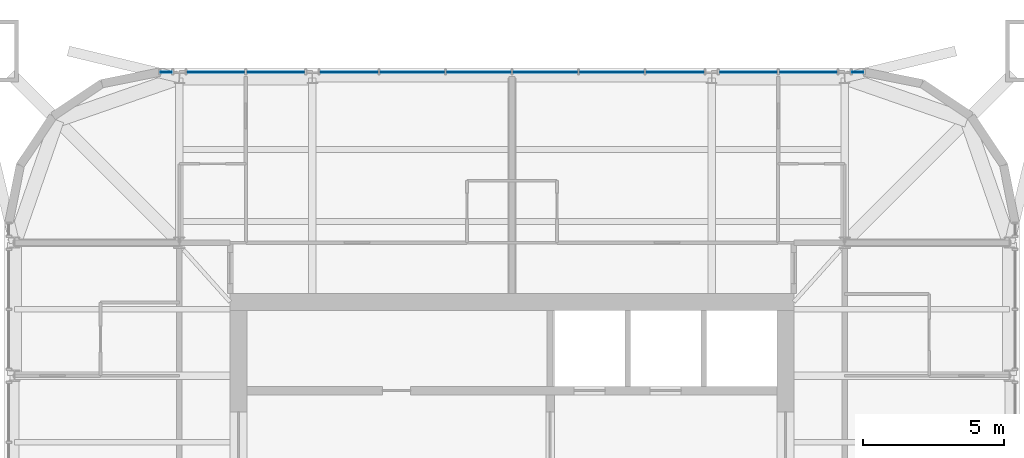
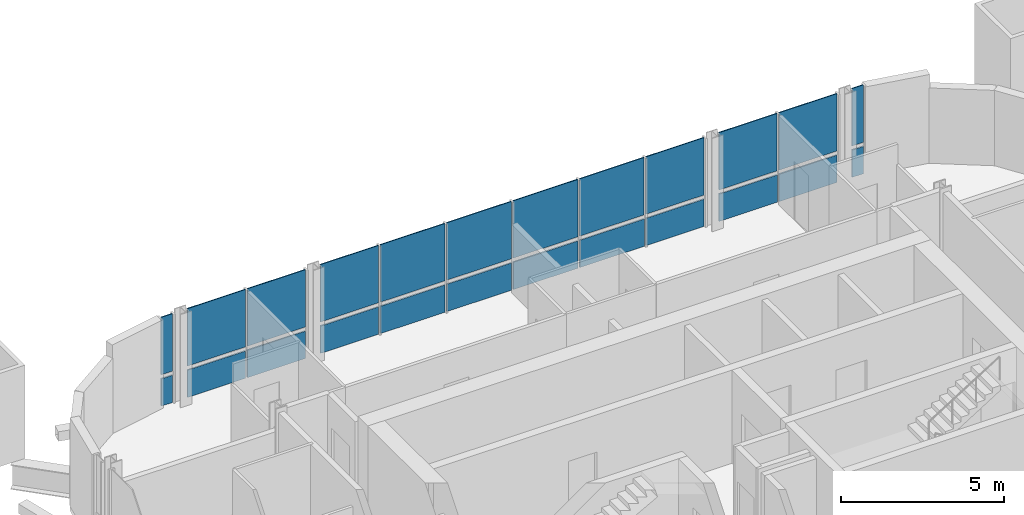
# One storey, part 11 of 16: 24 plates, 5 elements without a shape of their own.
"""IFC4 building model written with IfcOpenShell, lengths in metres."""

from ifc_helpers import new_model, si_unit, direction, frame, origin, origin_2d, place, context, subcontext, project, spatial, rectangle, extrude, material, layer, layer_set, type_object, element, aggregate, save


model = new_model("IFC4")

# Units and contexts
model_context = context("Model", 3, precision=1e-05, world=origin(), true_north=direction((0.0, 1.0)))
body_context = subcontext(model_context, "Body", "Model", "MODEL_VIEW")
ifc_project = project(units=[si_unit("LENGTHUNIT", "METRE"), si_unit("AREAUNIT", "SQUARE_METRE"), si_unit("VOLUMEUNIT", "CUBIC_METRE"), si_unit("PLANEANGLEUNIT", "RADIAN"), si_unit("MASSUNIT", "GRAM", prefix="KILO")], contexts=[model_context])

# Site, building, storey
site_placement = place(None, origin())
site = spatial("IfcSite", under=ifc_project, at=site_placement, CompositionType="ELEMENT")
building_placement = place(site_placement, origin())
building = spatial("IfcBuilding", under=site, at=building_placement, Name="Turquesa Mirador Hotel Tower", CompositionType="ELEMENT")
storey_placement = place(building_placement, frame((0.0, 0.0, 230.199951171875)))
storey = spatial("IfcBuildingStorey", under=building, at=storey_placement, Name="L62", CompositionType="ELEMENT", Elevation=230.199951171875)

# Curtain wall, plate
ifc_material_1 = material(Name="Aluminium extrusion", Category="aluminium")
curtain_wall_type = type_object("IfcCurtainWallType", Name="CW-4 SUITE FRITTED CURTAIN WALL", PredefinedType="USERDEFINED", material=ifc_material_1)
curtain_wall_1_placement = place(storey_placement, origin())
curtain_wall_1 = element("IfcCurtainWall", 1, at=curtain_wall_1_placement, inside=storey, type_object=curtain_wall_type, Name="CW-4 SUITE FRITTED CURTAIN WALL L62", ObjectType="CURTAIN WALL", PredefinedType="USERDEFINED")
ifc_material_2 = material(Name="Ceramic-printed spandrel glass on an insulated back pan", Category="glass")
ifc_layer_1 = layer(ifc_material_2, 0.050048828125)
ifc_layer_set_1 = layer_set([ifc_layer_1], Name="CW PANEL SPANDREL CERAMIC")
plate_type_1 = type_object("IfcPlateType", Name="CW PANEL SPANDREL CERAMIC", PredefinedType="CURTAIN_PANEL", material=ifc_layer_set_1)
plate_1_placement = place(storey_placement, frame((67.266845703125, 62.85009765625, 0.0), z_axis=(0.0, 0.0, 1.0), x_axis=(-1.0, 0.0, 0.0)))
plate_1 = element("IfcPlate", 2, at=plate_1_placement, type_object=plate_type_1, Name="Panel", PredefinedType="CURTAIN_PANEL", context=body_context, shape_type="SweptSolid", body=[
    extrude(rectangle(XDim=0.401123046875, YDim=0.050048828125, at=origin_2d()), origin(), (0.0, 0.0, 1.0), 1.02490234375),
])

# Curtain wall, plates
curtain_wall_2_placement = place(storey_placement, origin())
curtain_wall_2 = element("IfcCurtainWall", 3, at=curtain_wall_2_placement, inside=storey, type_object=curtain_wall_type, Name="CW-4 SUITE FRITTED CURTAIN WALL L62", ObjectType="CURTAIN WALL", PredefinedType="USERDEFINED")
plate_2_placement = place(storey_placement, frame((65.503173828125, 62.85009765625, 0.0), z_axis=(0.0, 0.0, 1.0), x_axis=(-1.0, 0.0, 0.0)))
plate_2 = element("IfcPlate", 4, at=plate_2_placement, type_object=plate_type_1, Name="Panel", PredefinedType="CURTAIN_PANEL", context=body_context, shape_type="SweptSolid", body=[
    extrude(rectangle(XDim=2.06103515625, YDim=0.050048828125, at=origin_2d()), origin(), (0.0, 0.0, 1.0), 1.02490234375),
])
plate_3_placement = place(storey_placement, frame((63.376953125, 62.85009765625, 0.0), z_axis=(0.0, 0.0, 1.0), x_axis=(-1.0, 0.0, 0.0)))
plate_3 = element("IfcPlate", 5, at=plate_3_placement, type_object=plate_type_1, Name="Panel", PredefinedType="CURTAIN_PANEL", context=body_context, shape_type="SweptSolid", body=[
    extrude(rectangle(XDim=2.06103515625, YDim=0.050048828125, at=origin_2d()), origin(), (0.0, 0.0, 1.0), 1.02490234375),
])

curtain_wall_3_placement = place(storey_placement, origin())
curtain_wall_3 = element("IfcCurtainWall", 6, at=curtain_wall_3_placement, inside=storey, type_object=curtain_wall_type, Name="CW-4 SUITE FRITTED CURTAIN WALL L62", ObjectType="CURTAIN WALL", PredefinedType="USERDEFINED")
plate_4_placement = place(storey_placement, frame((60.782958984375, 62.85009765625, 0.0), z_axis=(0.0, 0.0, 1.0), x_axis=(-1.0, 0.0, 0.0)))
plate_4 = element("IfcPlate", 7, at=plate_4_placement, type_object=plate_type_1, Name="Panel", PredefinedType="CURTAIN_PANEL", context=body_context, shape_type="SweptSolid", body=[
    extrude(rectangle(XDim=2.06103515625, YDim=0.050048828125, at=origin_2d()), origin(), (0.0, 0.0, 1.0), 1.02490234375),
])
plate_5_placement = place(storey_placement, frame((58.5400390625, 62.85009765625, 0.0), z_axis=(0.0, 0.0, 1.0), x_axis=(-1.0, 0.0, 0.0)))
plate_5 = element("IfcPlate", 8, at=plate_5_placement, type_object=plate_type_1, Name="Panel", PredefinedType="CURTAIN_PANEL", context=body_context, shape_type="SweptSolid", body=[
    extrude(rectangle(XDim=2.294921875, YDim=0.050048828125, at=origin_2d()), origin(), (0.0, 0.0, 1.0), 1.02490234375),
])
plate_6_placement = place(storey_placement, frame((56.179931640625, 62.85009765625, 0.0), z_axis=(0.0, 0.0, 1.0), x_axis=(-1.0, 0.0, 0.0)))
plate_6 = element("IfcPlate", 9, at=plate_6_placement, type_object=plate_type_1, Name="Panel", PredefinedType="CURTAIN_PANEL", context=body_context, shape_type="SweptSolid", body=[
    extrude(rectangle(XDim=2.294921875, YDim=0.050048828125, at=origin_2d()), origin(), (0.0, 0.0, 1.0), 1.02490234375),
])
plate_7_placement = place(storey_placement, frame((53.820068359375, 62.85009765625, 0.0), z_axis=(0.0, 0.0, 1.0), x_axis=(-1.0, 0.0, 0.0)))
plate_7 = element("IfcPlate", 10, at=plate_7_placement, type_object=plate_type_1, Name="Panel", PredefinedType="CURTAIN_PANEL", context=body_context, shape_type="SweptSolid", body=[
    extrude(rectangle(XDim=2.294921875, YDim=0.050048828125, at=origin_2d()), origin(), (0.0, 0.0, 1.0), 1.02490234375),
])
plate_8_placement = place(storey_placement, frame((51.4599609375, 62.85009765625, 0.0), z_axis=(0.0, 0.0, 1.0), x_axis=(-1.0, 0.0, 0.0)))
plate_8 = element("IfcPlate", 11, at=plate_8_placement, type_object=plate_type_1, Name="Panel", PredefinedType="CURTAIN_PANEL", context=body_context, shape_type="SweptSolid", body=[
    extrude(rectangle(XDim=2.294921875, YDim=0.050048828125, at=origin_2d()), origin(), (0.0, 0.0, 1.0), 1.02490234375),
])
plate_9_placement = place(storey_placement, frame((49.217041015625, 62.85009765625, 0.0), z_axis=(0.0, 0.0, 1.0), x_axis=(-1.0, 0.0, 0.0)))
plate_9 = element("IfcPlate", 12, at=plate_9_placement, type_object=plate_type_1, Name="Panel", PredefinedType="CURTAIN_PANEL", context=body_context, shape_type="SweptSolid", body=[
    extrude(rectangle(XDim=2.06103515625, YDim=0.050048828125, at=origin_2d()), origin(), (0.0, 0.0, 1.0), 1.02490234375),
])

curtain_wall_4_placement = place(storey_placement, origin())
curtain_wall_4 = element("IfcCurtainWall", 13, at=curtain_wall_4_placement, inside=storey, type_object=curtain_wall_type, Name="CW-4 SUITE FRITTED CURTAIN WALL L62", ObjectType="CURTAIN WALL", PredefinedType="USERDEFINED")
plate_10_placement = place(storey_placement, frame((46.623046875, 62.85009765625, 0.0), z_axis=(0.0, 0.0, 1.0), x_axis=(-1.0, 0.0, 0.0)))
plate_10 = element("IfcPlate", 14, at=plate_10_placement, type_object=plate_type_1, Name="Panel", PredefinedType="CURTAIN_PANEL", context=body_context, shape_type="SweptSolid", body=[
    extrude(rectangle(XDim=2.06103515625, YDim=0.050048828125, at=origin_2d()), origin(), (0.0, 0.0, 1.0), 1.02490234375),
])
plate_11_placement = place(storey_placement, frame((44.496826171875, 62.85009765625, 0.0), z_axis=(0.0, 0.0, 1.0), x_axis=(-1.0, 0.0, 0.0)))
plate_11 = element("IfcPlate", 15, at=plate_11_placement, type_object=plate_type_1, Name="Panel", PredefinedType="CURTAIN_PANEL", context=body_context, shape_type="SweptSolid", body=[
    extrude(rectangle(XDim=2.06103515625, YDim=0.050048828125, at=origin_2d()), origin(), (0.0, 0.0, 1.0), 1.02490234375),
])

# Curtain wall, plate
curtain_wall_5_placement = place(storey_placement, origin())
curtain_wall_5 = element("IfcCurtainWall", 16, at=curtain_wall_5_placement, inside=storey, type_object=curtain_wall_type, Name="CW-4 SUITE FRITTED CURTAIN WALL L62", ObjectType="CURTAIN WALL", PredefinedType="USERDEFINED")
plate_12_placement = place(storey_placement, frame((42.733154296875, 62.85009765625, 0.0), z_axis=(0.0, 0.0, 1.0), x_axis=(-1.0, 0.0, 0.0)))
plate_12 = element("IfcPlate", 17, at=plate_12_placement, type_object=plate_type_1, Name="Panel", PredefinedType="CURTAIN_PANEL", context=body_context, shape_type="SweptSolid", body=[
    extrude(rectangle(XDim=0.401123046875, YDim=0.050048828125, at=origin_2d()), origin(), (0.0, 0.0, 1.0), 1.02490234375),
])

# Plate
ifc_material_3 = material(Name="Ceramic-fritted laminated glass", Category="glass")
ifc_layer_2 = layer(ifc_material_3, 0.031982421875)
ifc_layer_set_2 = layer_set([ifc_layer_2], Name="CW PANEL VISION FRITTED")
plate_type_2 = type_object("IfcPlateType", Name="CW PANEL VISION FRITTED", PredefinedType="CURTAIN_PANEL", material=ifc_layer_set_2)
plate_13_placement = place(storey_placement, frame((67.266845703125, 62.85009765625, 1.1748046875), z_axis=(0.0, 0.0, 1.0), x_axis=(-1.0, 0.0, 0.0)))
plate_13 = element("IfcPlate", 18, at=plate_13_placement, type_object=plate_type_2, Name="Panel", PredefinedType="CURTAIN_PANEL", context=body_context, shape_type="SweptSolid", body=[
    extrude(rectangle(XDim=0.401123046875, YDim=0.031982421875, at=origin_2d()), origin(), (0.0, 0.0, 1.0), 2.155029296875),
])

aggregate(curtain_wall_1, [plate_1, plate_13])

plate_14_placement = place(storey_placement, frame((65.503173828125, 62.85009765625, 1.1748046875), z_axis=(0.0, 0.0, 1.0), x_axis=(-1.0, 0.0, 0.0)))
plate_14 = element("IfcPlate", 19, at=plate_14_placement, type_object=plate_type_2, Name="Panel", PredefinedType="CURTAIN_PANEL", context=body_context, shape_type="SweptSolid", body=[
    extrude(rectangle(XDim=2.06103515625, YDim=0.031982421875, at=origin_2d()), origin(), (0.0, 0.0, 1.0), 2.155029296875),
])

plate_15_placement = place(storey_placement, frame((63.376953125, 62.85009765625, 1.1748046875), z_axis=(0.0, 0.0, 1.0), x_axis=(-1.0, 0.0, 0.0)))
plate_15 = element("IfcPlate", 20, at=plate_15_placement, type_object=plate_type_2, Name="Panel", PredefinedType="CURTAIN_PANEL", context=body_context, shape_type="SweptSolid", body=[
    extrude(rectangle(XDim=2.06103515625, YDim=0.031982421875, at=origin_2d()), origin(), (0.0, 0.0, 1.0), 2.155029296875),
])

aggregate(curtain_wall_2, [plate_2, plate_14, plate_3, plate_15])

plate_16_placement = place(storey_placement, frame((60.782958984375, 62.85009765625, 1.1748046875), z_axis=(0.0, 0.0, 1.0), x_axis=(-1.0, 0.0, 0.0)))
plate_16 = element("IfcPlate", 21, at=plate_16_placement, type_object=plate_type_2, Name="Panel", PredefinedType="CURTAIN_PANEL", context=body_context, shape_type="SweptSolid", body=[
    extrude(rectangle(XDim=2.06103515625, YDim=0.031982421875, at=origin_2d()), origin(), (0.0, 0.0, 1.0), 2.155029296875),
])

plate_17_placement = place(storey_placement, frame((58.5400390625, 62.85009765625, 1.1748046875), z_axis=(0.0, 0.0, 1.0), x_axis=(-1.0, 0.0, 0.0)))
plate_17 = element("IfcPlate", 22, at=plate_17_placement, type_object=plate_type_2, Name="Panel", PredefinedType="CURTAIN_PANEL", context=body_context, shape_type="SweptSolid", body=[
    extrude(rectangle(XDim=2.294921875, YDim=0.031982421875, at=origin_2d()), origin(), (0.0, 0.0, 1.0), 2.155029296875),
])

plate_18_placement = place(storey_placement, frame((56.179931640625, 62.85009765625, 1.1748046875), z_axis=(0.0, 0.0, 1.0), x_axis=(-1.0, 0.0, 0.0)))
plate_18 = element("IfcPlate", 23, at=plate_18_placement, type_object=plate_type_2, Name="Panel", PredefinedType="CURTAIN_PANEL", context=body_context, shape_type="SweptSolid", body=[
    extrude(rectangle(XDim=2.294921875, YDim=0.031982421875, at=origin_2d()), origin(), (0.0, 0.0, 1.0), 2.155029296875),
])

plate_19_placement = place(storey_placement, frame((53.820068359375, 62.85009765625, 1.1748046875), z_axis=(0.0, 0.0, 1.0), x_axis=(-1.0, 0.0, 0.0)))
plate_19 = element("IfcPlate", 24, at=plate_19_placement, type_object=plate_type_2, Name="Panel", PredefinedType="CURTAIN_PANEL", context=body_context, shape_type="SweptSolid", body=[
    extrude(rectangle(XDim=2.294921875, YDim=0.031982421875, at=origin_2d()), origin(), (0.0, 0.0, 1.0), 2.155029296875),
])

plate_20_placement = place(storey_placement, frame((51.4599609375, 62.85009765625, 1.1748046875), z_axis=(0.0, 0.0, 1.0), x_axis=(-1.0, 0.0, 0.0)))
plate_20 = element("IfcPlate", 25, at=plate_20_placement, type_object=plate_type_2, Name="Panel", PredefinedType="CURTAIN_PANEL", context=body_context, shape_type="SweptSolid", body=[
    extrude(rectangle(XDim=2.294921875, YDim=0.031982421875, at=origin_2d()), origin(), (0.0, 0.0, 1.0), 2.155029296875),
])

plate_21_placement = place(storey_placement, frame((49.217041015625, 62.85009765625, 1.1748046875), z_axis=(0.0, 0.0, 1.0), x_axis=(-1.0, 0.0, 0.0)))
plate_21 = element("IfcPlate", 26, at=plate_21_placement, type_object=plate_type_2, Name="Panel", PredefinedType="CURTAIN_PANEL", context=body_context, shape_type="SweptSolid", body=[
    extrude(rectangle(XDim=2.06103515625, YDim=0.031982421875, at=origin_2d()), origin(), (0.0, 0.0, 1.0), 2.155029296875),
])

aggregate(curtain_wall_3, [plate_4, plate_16, plate_5, plate_17, plate_6, plate_18, plate_7, plate_19, plate_8, plate_20, plate_9, plate_21])

plate_22_placement = place(storey_placement, frame((46.623046875, 62.85009765625, 1.1748046875), z_axis=(0.0, 0.0, 1.0), x_axis=(-1.0, 0.0, 0.0)))
plate_22 = element("IfcPlate", 27, at=plate_22_placement, type_object=plate_type_2, Name="Panel", PredefinedType="CURTAIN_PANEL", context=body_context, shape_type="SweptSolid", body=[
    extrude(rectangle(XDim=2.06103515625, YDim=0.031982421875, at=origin_2d()), origin(), (0.0, 0.0, 1.0), 2.155029296875),
])

plate_23_placement = place(storey_placement, frame((44.496826171875, 62.85009765625, 1.1748046875), z_axis=(0.0, 0.0, 1.0), x_axis=(-1.0, 0.0, 0.0)))
plate_23 = element("IfcPlate", 28, at=plate_23_placement, type_object=plate_type_2, Name="Panel", PredefinedType="CURTAIN_PANEL", context=body_context, shape_type="SweptSolid", body=[
    extrude(rectangle(XDim=2.06103515625, YDim=0.031982421875, at=origin_2d()), origin(), (0.0, 0.0, 1.0), 2.155029296875),
])

aggregate(curtain_wall_4, [plate_10, plate_22, plate_11, plate_23])

plate_24_placement = place(storey_placement, frame((42.733154296875, 62.85009765625, 1.1748046875), z_axis=(0.0, 0.0, 1.0), x_axis=(-1.0, 0.0, 0.0)))
plate_24 = element("IfcPlate", 29, at=plate_24_placement, type_object=plate_type_2, Name="Panel", PredefinedType="CURTAIN_PANEL", context=body_context, shape_type="SweptSolid", body=[
    extrude(rectangle(XDim=0.401123046875, YDim=0.031982421875, at=origin_2d()), origin(), (0.0, 0.0, 1.0), 2.155029296875),
])

aggregate(curtain_wall_5, [plate_12, plate_24])

save(model, "model.ifc")
